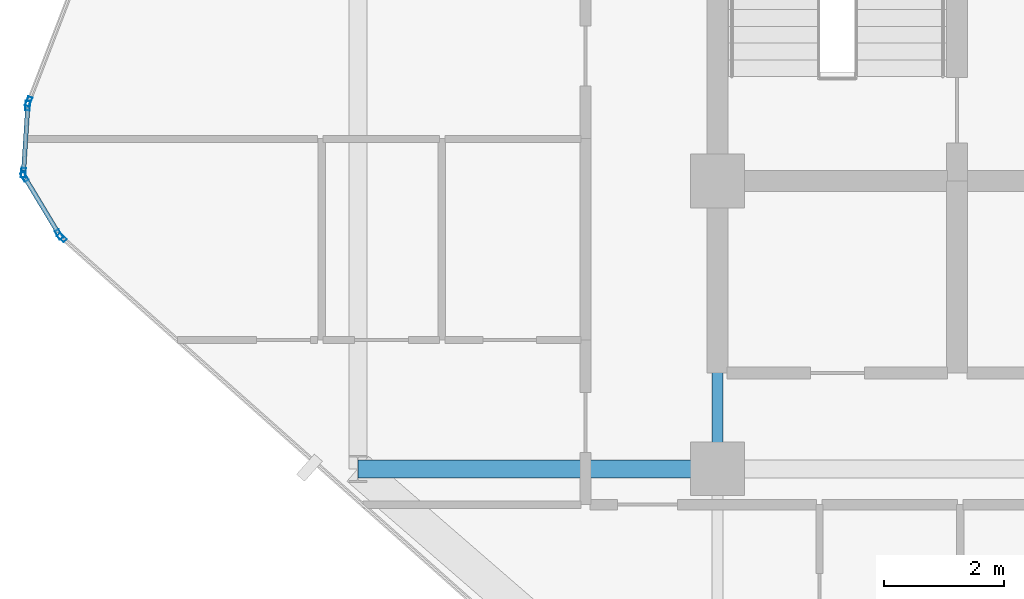
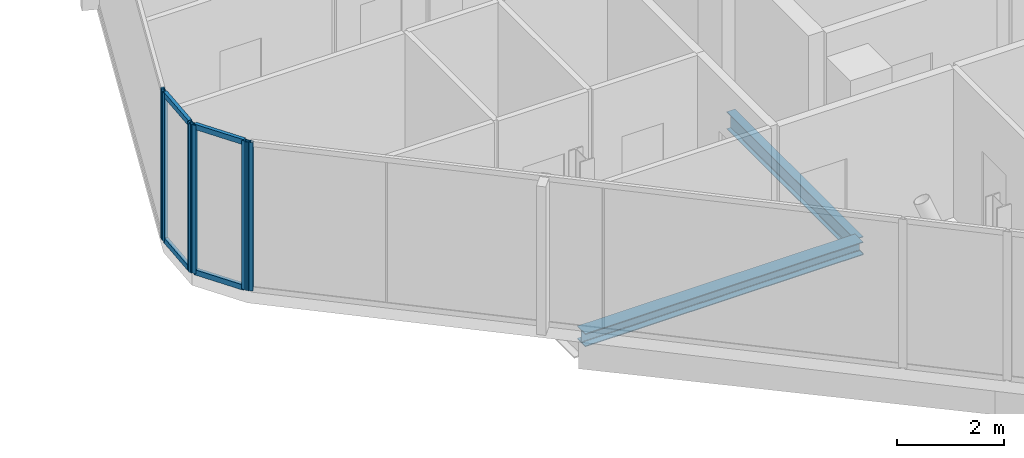
# One storey, part 8 of 29: 10 members, 2 beams, 4 elements without a shape of their own.
"""IFC4 building model written with IfcOpenShell, lengths in metres."""

from ifc_helpers import new_model, si_unit, direction, frame, origin, origin_2d, place, context, subcontext, project, spatial, hollow_rectangle, i_section, extrude, material, layer, layer_set, material_profile, profile_set, type_object, element, aggregate, save


model = new_model("IFC4")

# Units and contexts
model_context = context("Model", 3, precision=1e-05, world=origin(), true_north=direction((0.0, 1.0)))
body_context = subcontext(model_context, "Body", "Model", "MODEL_VIEW")
ifc_project = project(units=[si_unit("LENGTHUNIT", "METRE"), si_unit("AREAUNIT", "SQUARE_METRE"), si_unit("VOLUMEUNIT", "CUBIC_METRE"), si_unit("PLANEANGLEUNIT", "RADIAN"), si_unit("MASSUNIT", "GRAM", prefix="KILO")], contexts=[model_context])

# Site, building, storey
site_placement = place(None, origin())
site = spatial("IfcSite", under=ifc_project, at=site_placement, CompositionType="ELEMENT")
building_placement = place(site_placement, origin())
building = spatial("IfcBuilding", under=site, at=building_placement, Name="Keshet Zoharim Tower", CompositionType="ELEMENT")
storey_placement = place(building_placement, frame((0.0, 0.0, 203.199951171875)))
storey = spatial("IfcBuildingStorey", under=building, at=storey_placement, Name="L50", CompositionType="ELEMENT", Elevation=203.199951171875)

# Beams
ifc_material_1 = material(Name="Steel S355", Category="steel")
ifc_material_profile_1 = material_profile(ifc_material_1, i_section(OverallWidth=0.300048828125, OverallDepth=0.300048828125, WebThickness=0.010986328125, FlangeThickness=0.01904296875, FilletRadius=0.027099609375, at=origin_2d()), Name="HEB300")
ifc_profile_set_1 = profile_set([ifc_material_profile_1], Name="Steel S355")
beam_type_1 = type_object("IfcBeamType", Name="BM-PRI-HB300", PredefinedType="BEAM", material=ifc_profile_set_1)
beam_1_placement = place(storey_placement, frame((9.0, 17.89990234375, -0.4599609375), z_axis=(1.0, 0.0, 0.0), x_axis=(0.0, 1.0, 0.0)))
element("IfcBeam", 1, at=beam_1_placement, inside=storey, type_object=beam_type_1, Name="L50 Primary Girder X-011", PredefinedType="BEAM", context=body_context, shape_type="SweptSolid", body=[
    extrude(i_section(OverallWidth=0.300048828125, OverallDepth=0.300048828125, WebThickness=0.010986328125, FlangeThickness=0.01904296875, FilletRadius=0.027099609375, at=origin_2d()), origin(), (0.0, 0.0, 1.0), 6.0),
])
ifc_material_profile_2 = material_profile(ifc_material_1, i_section(OverallWidth=0.179931640625, OverallDepth=0.39990234375, WebThickness=0.008544921875, FlangeThickness=0.013427734375, FilletRadius=0.02099609375, at=origin_2d()), Name="IPE400")
ifc_profile_set_2 = profile_set([ifc_material_profile_2], Name="Steel S355")
beam_type_2 = type_object("IfcBeamType", Name="BM-PRI-IP400", PredefinedType="BEAM", material=ifc_profile_set_2)
beam_2_placement = place(storey_placement, frame((15.0, 17.89990234375, -0.510009765625), z_axis=(0.0, 1.0, 0.0), x_axis=(-1.0, 0.0, 0.0)))
element("IfcBeam", 2, at=beam_2_placement, inside=storey, type_object=beam_type_2, Name="L50 Primary Girder Y-003", PredefinedType="BEAM", context=body_context, shape_type="SweptSolid", body=[
    extrude(i_section(OverallWidth=0.179931640625, OverallDepth=0.39990234375, WebThickness=0.008544921875, FlangeThickness=0.013427734375, FilletRadius=0.02099609375, at=origin_2d()), origin(), (0.0, 0.0, 1.0), 4.800048828125),
])

# Curtain wall, member
ifc_material_2 = material(Name="Aluminium 6063-T6", Category="aluminium")
ifc_layer = layer(ifc_material_2, 0.139892578125)
ifc_layer_set = layer_set([ifc_layer], Name="Aluminium 6063-T6")
curtain_wall_type = type_object("IfcCurtainWallType", Name="CW-SYS-05", PredefinedType="NOTDEFINED", material=ifc_layer_set)
curtain_wall_1_placement = place(storey_placement, origin())
curtain_wall_1 = element("IfcCurtainWall", 3, at=curtain_wall_1_placement, inside=storey, type_object=curtain_wall_type, Name="L50 Unitised Curtain Wall 10 Part 3", PredefinedType="NOTDEFINED")
ifc_material_profile_3 = material_profile(ifc_material_2, hollow_rectangle(XDim=0.074951171875, YDim=0.159912109375, WallThickness=0.00390625, at=origin_2d()), Name="MUL-75x160")
ifc_profile_set_3 = profile_set([ifc_material_profile_3], Name="Aluminium 6063-T6")
member_type_1 = type_object("IfcMemberType", Name="CWM-M15", PredefinedType="MULLION", material=ifc_profile_set_3)
member_1_placement = place(storey_placement, frame((4.061279296875, 21.7568359375, 0.0), z_axis=(0.0, 0.0, 1.0), x_axis=(-0.664366823013, -0.747406666066, 0.0)))
member_1 = element("IfcMember", 4, at=member_1_placement, type_object=member_type_1, Name="CW-05 mullion 2", PredefinedType="MULLION", context=body_context, shape_type="SweptSolid", body=[
    extrude(hollow_rectangle(XDim=0.074951171875, YDim=0.159912109375, WallThickness=0.00390625, at=origin_2d()), origin(), (0.0, 0.0, 1.0), 3.39013671875),
])
aggregate(curtain_wall_1, [member_1])

# Curtain wall, members
curtain_wall_2_placement = place(storey_placement, origin())
curtain_wall_2 = element("IfcCurtainWall", 5, at=curtain_wall_2_placement, inside=storey, type_object=curtain_wall_type, Name="L50 Unitised Curtain Wall 11", PredefinedType="NOTDEFINED")
member_2_placement = place(storey_placement, frame((4.016845703125, 21.81005859375, 0.0), z_axis=(0.0, 0.0, 1.0), x_axis=(-0.856826433805, -0.515604947933, 0.0)))
member_2 = element("IfcMember", 6, at=member_2_placement, type_object=member_type_1, Name="CW-05 mullion 1", PredefinedType="MULLION", context=body_context, shape_type="SweptSolid", body=[
    extrude(hollow_rectangle(XDim=0.074951171875, YDim=0.159912109375, WallThickness=0.00390625, at=origin_2d()), origin(), (0.0, 0.0, 1.0), 3.39013671875),
])
member_3_placement = place(storey_placement, frame((3.43798828125, 22.77197265625, 0.0), z_axis=(0.0, 0.0, 1.0), x_axis=(-0.856826433805, -0.515604947933, 0.0)))
member_3 = element("IfcMember", 7, at=member_3_placement, type_object=member_type_1, Name="CW-05 mullion 2", PredefinedType="MULLION", context=body_context, shape_type="SweptSolid", body=[
    extrude(hollow_rectangle(XDim=0.074951171875, YDim=0.159912109375, WallThickness=0.00390625, at=origin_2d()), origin(), (0.0, 0.0, 1.0), 3.39013671875),
])

curtain_wall_3_placement = place(storey_placement, origin())
curtain_wall_3 = element("IfcCurtainWall", 8, at=curtain_wall_3_placement, inside=storey, type_object=curtain_wall_type, Name="L50 Unitised Curtain Wall 12", PredefinedType="NOTDEFINED")
member_4_placement = place(storey_placement, frame((3.42236328125, 22.8369140625, 0.0), z_axis=(0.0, 0.0, 1.0), x_axis=(-0.997916617186, 0.064516859374, 0.0)))
member_4 = element("IfcMember", 9, at=member_4_placement, type_object=member_type_1, Name="CW-05 mullion 1", PredefinedType="MULLION", context=body_context, shape_type="SweptSolid", body=[
    extrude(hollow_rectangle(XDim=0.074951171875, YDim=0.159912109375, WallThickness=0.00390625, at=origin_2d()), origin(), (0.0, 0.0, 1.0), 3.39013671875),
])
member_5_placement = place(storey_placement, frame((3.49462890625, 23.9580078125, 0.0), z_axis=(0.0, 0.0, 1.0), x_axis=(-0.997916617186, 0.064516859374, 0.0)))
member_5 = element("IfcMember", 10, at=member_5_placement, type_object=member_type_1, Name="CW-05 mullion 2", PredefinedType="MULLION", context=body_context, shape_type="SweptSolid", body=[
    extrude(hollow_rectangle(XDim=0.074951171875, YDim=0.159912109375, WallThickness=0.00390625, at=origin_2d()), origin(), (0.0, 0.0, 1.0), 3.39013671875),
])

# Curtain wall, member
curtain_wall_4_placement = place(storey_placement, origin())
curtain_wall_4 = element("IfcCurtainWall", 11, at=curtain_wall_4_placement, inside=storey, type_object=curtain_wall_type, Name="L50 Unitised Curtain Wall 13", PredefinedType="NOTDEFINED")
member_6_placement = place(storey_placement, frame((3.509521484375, 24.025634765625, 0.0), z_axis=(0.0, 0.0, 1.0), x_axis=(-0.933341404361, 0.358990003907, 0.0)))
member_6 = element("IfcMember", 12, at=member_6_placement, type_object=member_type_1, Name="CW-05 mullion 1", PredefinedType="MULLION", context=body_context, shape_type="SweptSolid", body=[
    extrude(hollow_rectangle(XDim=0.074951171875, YDim=0.159912109375, WallThickness=0.00390625, at=origin_2d()), origin(), (0.0, 0.0, 1.0), 3.39013671875),
])
aggregate(curtain_wall_4, [member_6])

# Member
ifc_material_profile_4 = material_profile(ifc_material_2, hollow_rectangle(XDim=0.074951171875, YDim=0.1201171875, WallThickness=0.00390625, at=origin_2d()), Name="TRN-75x120")
ifc_profile_set_4 = profile_set([ifc_material_profile_4], Name="Aluminium 6063-T6")
member_type_2 = type_object("IfcMemberType", Name="CWT-T12", PredefinedType="USERDEFINED", material=ifc_profile_set_4)
member_7_placement = place(storey_placement, frame((3.9990234375, 21.840087890625, 0.03515625), z_axis=(-0.515791194107, 0.856714330499, 0.0), x_axis=(-0.856714330499, -0.515791194107, 0.0)))
member_7 = element("IfcMember", 13, at=member_7_placement, type_object=member_type_2, Name="CW-05 transom 1.1", ObjectType="TRANSOM", PredefinedType="USERDEFINED", context=body_context, shape_type="SweptSolid", body=[
    extrude(hollow_rectangle(XDim=0.074951171875, YDim=0.1201171875, WallThickness=0.00390625, at=origin_2d()), origin(), (0.0, 0.0, 1.0), 1.052734375),
])

member_8_placement = place(storey_placement, frame((3.9990234375, 21.840087890625, 3.35498046875), z_axis=(-0.515791194107, 0.856714330499, 0.0), x_axis=(-0.856714330499, -0.515791194107, 0.0)))
member_8 = element("IfcMember", 14, at=member_8_placement, type_object=member_type_2, Name="CW-05 transom 1.2", ObjectType="TRANSOM", PredefinedType="USERDEFINED", context=body_context, shape_type="SweptSolid", body=[
    extrude(hollow_rectangle(XDim=0.074951171875, YDim=0.1201171875, WallThickness=0.00390625, at=origin_2d()), origin(), (0.0, 0.0, 1.0), 1.052734375),
])

aggregate(curtain_wall_2, [member_2, member_3, member_7, member_8])

member_9_placement = place(storey_placement, frame((3.424560546875, 22.871826171875, 0.03515625), z_axis=(0.064426947155, 0.997922426083, 0.0), x_axis=(-0.997922426083, 0.064426947155, 0.0)))
member_9 = element("IfcMember", 15, at=member_9_placement, type_object=member_type_2, Name="CW-05 transom 1.1", ObjectType="TRANSOM", PredefinedType="USERDEFINED", context=body_context, shape_type="SweptSolid", body=[
    extrude(hollow_rectangle(XDim=0.074951171875, YDim=0.1201171875, WallThickness=0.00390625, at=origin_2d()), origin(), (0.0, 0.0, 1.0), 1.053466796875),
])

member_10_placement = place(storey_placement, frame((3.424560546875, 22.871826171875, 3.35498046875), z_axis=(0.064426947155, 0.997922426083, 0.0), x_axis=(-0.997922426083, 0.064426947155, 0.0)))
member_10 = element("IfcMember", 16, at=member_10_placement, type_object=member_type_2, Name="CW-05 transom 1.2", ObjectType="TRANSOM", PredefinedType="USERDEFINED", context=body_context, shape_type="SweptSolid", body=[
    extrude(hollow_rectangle(XDim=0.074951171875, YDim=0.1201171875, WallThickness=0.00390625, at=origin_2d()), origin(), (0.0, 0.0, 1.0), 1.053466796875),
])

aggregate(curtain_wall_3, [member_4, member_5, member_9, member_10])

save(model, "model.ifc")
